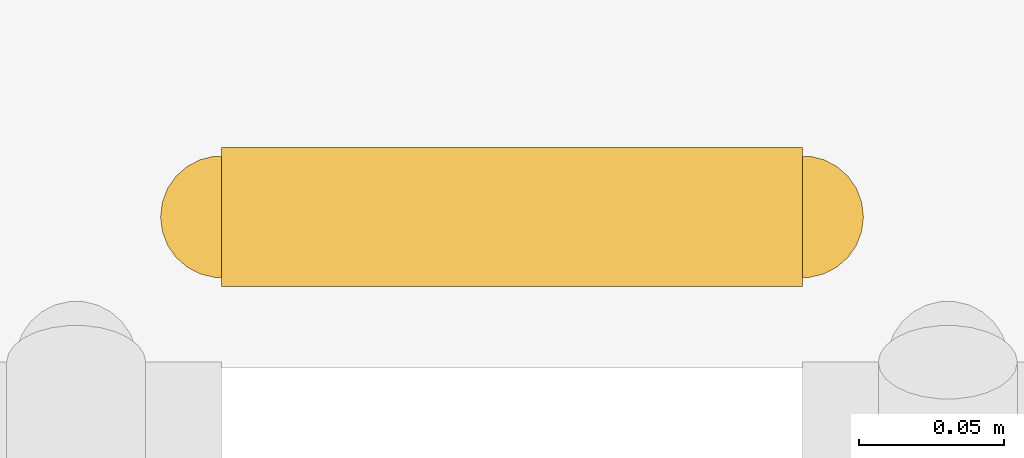
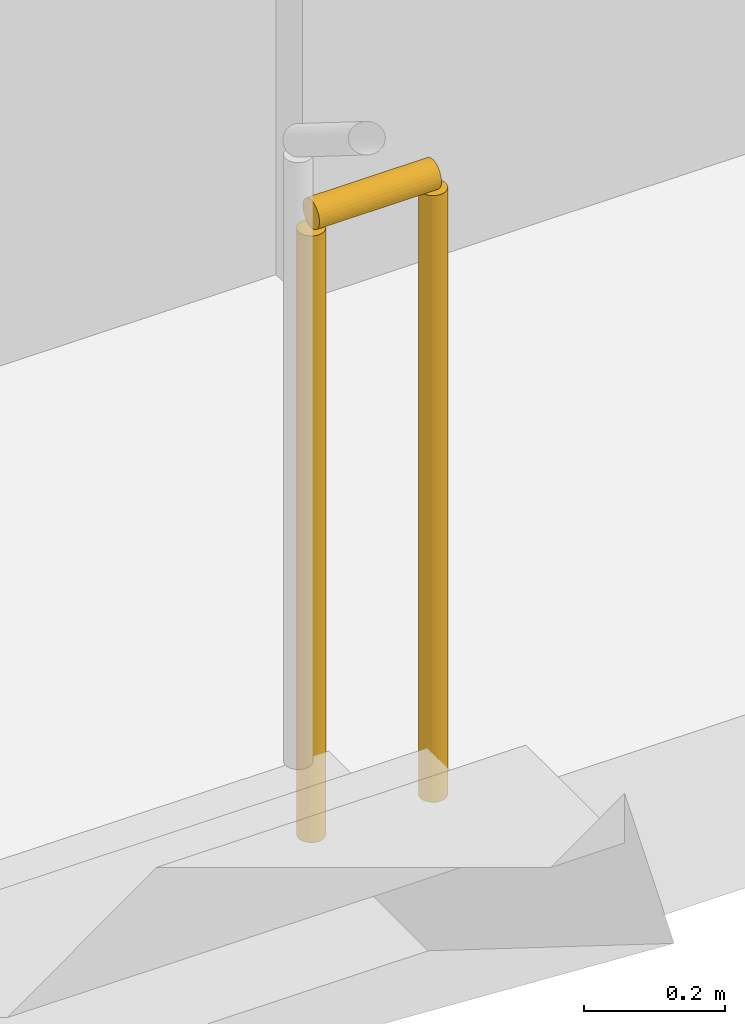
# One storey, part 19 of 21: 1 railing.
"""IFC4 building model written with IfcOpenShell, lengths in metres."""

from ifc_helpers import new_model, si_unit, direction, frame, origin, origin_2d, place, context, subcontext, project, spatial, circle, extrude, material, type_object, element, save


model = new_model("IFC4")

# Units and contexts
model_context = context("Model", 3, precision=1e-05, world=origin(), true_north=direction((0.0, 1.0)))
body_context = subcontext(model_context, "Body", "Model", "MODEL_VIEW")
ifc_project = project(units=[si_unit("LENGTHUNIT", "METRE"), si_unit("AREAUNIT", "SQUARE_METRE"), si_unit("VOLUMEUNIT", "CUBIC_METRE"), si_unit("PLANEANGLEUNIT", "RADIAN"), si_unit("MASSUNIT", "GRAM", prefix="KILO")], contexts=[model_context])

# Site, building, storey
site_placement = place(None, origin())
site = spatial("IfcSite", under=ifc_project, at=site_placement, CompositionType="ELEMENT")
building_placement = place(site_placement, origin())
building = spatial("IfcBuilding", under=site, at=building_placement, Name="Kiln Ring Residences", CompositionType="ELEMENT")
storey_placement = place(building_placement, frame((0.0, 0.0, 93.800048828125)))
storey = spatial("IfcBuildingStorey", under=building, at=storey_placement, Name="L23", CompositionType="ELEMENT", Elevation=93.800048828125)

# Railing
ifc_material = material(Name="Stainless steel", Category="steel")
railing_type = type_object("IfcRailingType", Name="CORE-STAIR-GUARD", PredefinedType="GUARDRAIL", material=ifc_material)
railing_placement = place(storey_placement, frame((-22.199951171875, 8.449951171875, 0.0)))
element("IfcRailing", 1, at=railing_placement, inside=storey, type_object=railing_type, Name="L23 W-STN stair guard 4", PredefinedType="GUARDRAIL", context=body_context, shape_type="SweptSolid", body=[
    extrude(circle(Radius=0.02392578125, at=origin_2d()), frame((0.0, 0.0, 1.076171875), z_axis=(1.0, 0.0, 0.0), x_axis=(0.0, 1.0, 0.0)), (0.0, 0.0, 1.0), 0.199951171875),
    extrude(circle(Radius=0.02099609375, at=origin_2d()), origin(), (0.0, 0.0, 1.0), 1.052001953125),
    extrude(circle(Radius=0.02099609375, at=origin_2d()), frame((0.199951171875, 0.0, 0.0)), (0.0, 0.0, 1.0), 1.052001953125),
])

save(model, "model.ifc")
